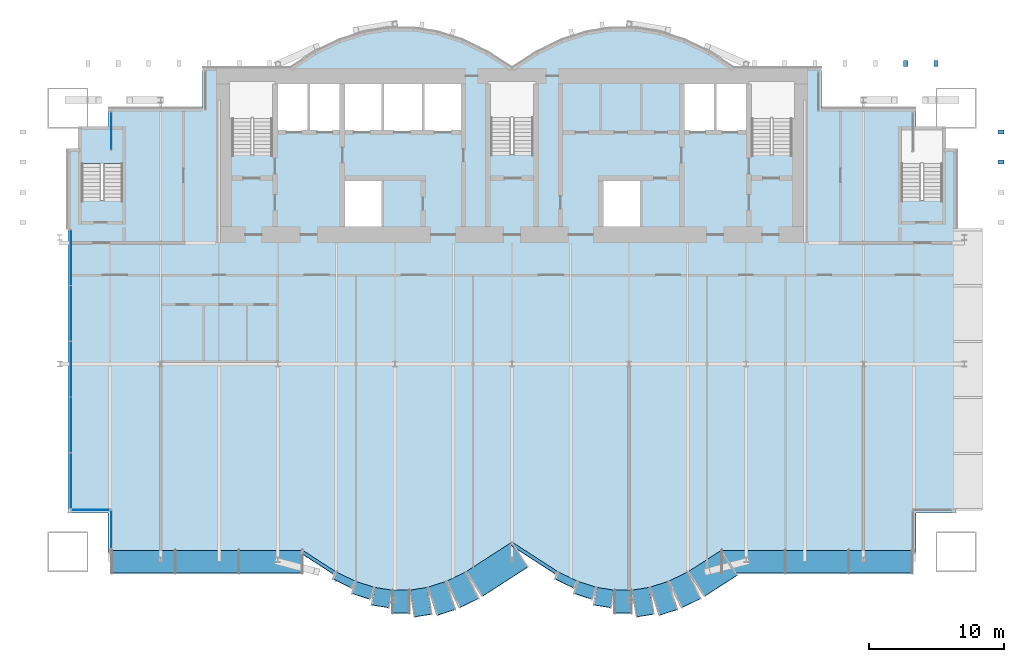
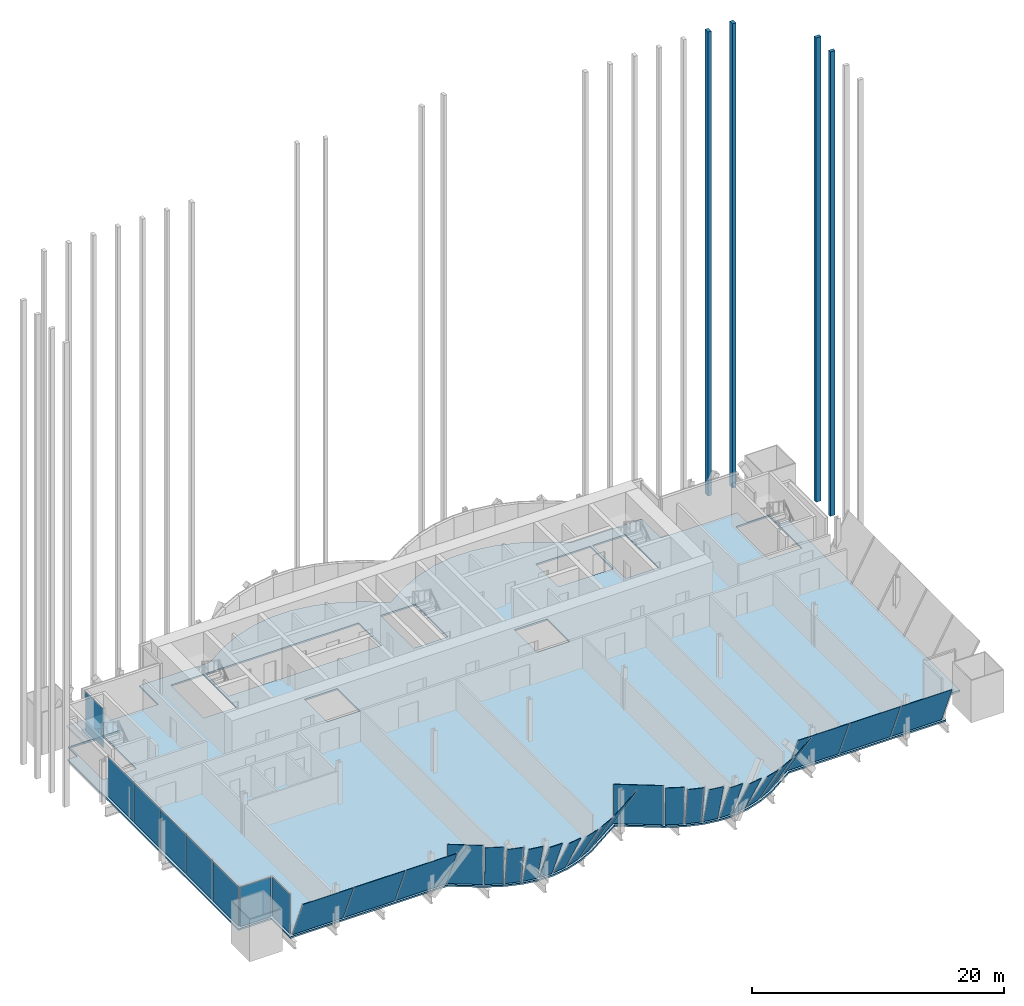
# One storey, part 16 of 22: 32 plates, 4 members, 2 slabs, 27 elements without a shape of their own.
"""IFC4 building model written with IfcOpenShell, lengths in metres."""

from ifc_helpers import new_model, si_unit, direction, frame, origin, origin_2d, place, context, subcontext, project, spatial, polyline, rectangle, outline, extrude, material, layer, layer_set, material_profile, profile_set, type_object, element, aggregate, save


model = new_model("IFC4")

# Units and contexts
model_context = context("Model", 3, precision=1e-05, world=origin(), true_north=direction((0.0, 1.0)))
body_context = subcontext(model_context, "Body", "Model", "MODEL_VIEW")
ifc_project = project(units=[si_unit("LENGTHUNIT", "METRE"), si_unit("AREAUNIT", "SQUARE_METRE"), si_unit("VOLUMEUNIT", "CUBIC_METRE"), si_unit("PLANEANGLEUNIT", "RADIAN"), si_unit("MASSUNIT", "GRAM", prefix="KILO")], contexts=[model_context])

# Site, building, storey
site_placement = place(None, origin())
site = spatial("IfcSite", under=ifc_project, at=site_placement, CompositionType="ELEMENT")
building_placement = place(site_placement, origin())
building = spatial("IfcBuilding", under=site, at=building_placement, Name="Bicima Exchange Tower", CompositionType="ELEMENT")
storey_placement = place(building_placement, frame((0.0, 0.0, 89.89990234375)))
storey = spatial("IfcBuildingStorey", under=building, at=storey_placement, Name="L18", CompositionType="ELEMENT", Elevation=89.89990234375)

# Curtain wall, members
ifc_material_1 = material(Name="Anodised bronze aluminium", Category="aluminium")
curtain_wall_type_1 = type_object("IfcCurtainWallType", Name="Rear blade screen", PredefinedType="NOTDEFINED", material=ifc_material_1)
curtain_wall_1_placement = place(storey_placement, origin())
curtain_wall_1 = element("IfcCurtainWall", 1, at=curtain_wall_1_placement, inside=storey, type_object=curtain_wall_type_1, Name="Rear blade screen L18-L28 E", PredefinedType="NOTDEFINED")
ifc_material_profile = material_profile(ifc_material_1, rectangle(XDim=0.449951171875, YDim=0.300048828125, at=origin_2d()))
ifc_profile_set = profile_set([ifc_material_profile], Name="Anodised bronze aluminium")
member_type = type_object("IfcMemberType", Name="Rear blade fin 450 x 300", PredefinedType="USERDEFINED", material=ifc_profile_set)
member_1_placement = place(storey_placement, frame((29.25, 0.324951171875, 0.0), z_axis=(0.0, 0.0, 1.0), x_axis=(0.0, 1.0, 0.0)))
member_1 = element("IfcMember", 2, at=member_1_placement, type_object=member_type, Name="Rear blade fin L18-L28 18", ObjectType="FIN", PredefinedType="USERDEFINED", context=body_context, shape_type="SweptSolid", body=[
    extrude(rectangle(XDim=0.449951171875, YDim=0.300048828125, at=origin_2d()), origin(), (0.0, 0.0, 1.0), 44.900146484375),
])
member_2_placement = place(storey_placement, frame((31.5, 0.324951171875, 0.0), z_axis=(0.0, 0.0, 1.0), x_axis=(0.0, 1.0, 0.0)))
member_2 = element("IfcMember", 3, at=member_2_placement, type_object=member_type, Name="Rear blade fin L18-L28 19", ObjectType="FIN", PredefinedType="USERDEFINED", context=body_context, shape_type="SweptSolid", body=[
    extrude(rectangle(XDim=0.449951171875, YDim=0.300048828125, at=origin_2d()), origin(), (0.0, 0.0, 1.0), 44.900146484375),
])
aggregate(curtain_wall_1, [member_1, member_2])

curtain_wall_2_placement = place(storey_placement, origin())
curtain_wall_2 = element("IfcCurtainWall", 4, at=curtain_wall_2_placement, inside=storey, type_object=curtain_wall_type_1, Name="End blade screen L18-L28", PredefinedType="NOTDEFINED")
member_3_placement = place(storey_placement, frame((36.324951171875, -7.0, 0.0), z_axis=(0.0, 0.0, 1.0), x_axis=(1.0, 0.0, 0.0)))
member_3 = element("IfcMember", 5, at=member_3_placement, type_object=member_type, Name="End blade fin L18-L28 3", ObjectType="FIN", PredefinedType="USERDEFINED", context=body_context, shape_type="SweptSolid", body=[
    extrude(rectangle(XDim=0.449951171875, YDim=0.300048828125, at=origin_2d()), origin(), (0.0, 0.0, 1.0), 44.900146484375),
])
member_4_placement = place(storey_placement, frame((36.324951171875, -4.75, 0.0), z_axis=(0.0, 0.0, 1.0), x_axis=(1.0, 0.0, 0.0)))
member_4 = element("IfcMember", 6, at=member_4_placement, type_object=member_type, Name="End blade fin L18-L28 4", ObjectType="FIN", PredefinedType="USERDEFINED", context=body_context, shape_type="SweptSolid", body=[
    extrude(rectangle(XDim=0.449951171875, YDim=0.300048828125, at=origin_2d()), origin(), (0.0, 0.0, 1.0), 44.900146484375),
])
aggregate(curtain_wall_2, [member_3, member_4])

# Slab
ifc_material_2 = material(Name="Concrete C40/50", Category="concrete")
ifc_layer_1 = layer(ifc_material_2, 0.14990234375)
ifc_layer_set_1 = layer_set([ifc_layer_1], Name="Concrete C40/50")
slab_type_1 = type_object("IfcSlabType", Name="Composite floor slab 150", PredefinedType="FLOOR", material=ifc_layer_set_1)
slab_1_placement = place(storey_placement, frame((0.0, 0.0, -0.14990234375)))
element("IfcSlab", 7, at=slab_1_placement, inside=storey, type_object=slab_type_1, Name="Floor slab", PredefinedType="FLOOR", context=body_context, shape_type="SweptSolid", body=[
    extrude(outline(polyline([(30.0, -36.072021484375), (15.61474609375, -36.072021484375), (13.1923828125, -37.637939453125), (11.712158203125, -38.355712890625), (10.295166015625, -38.813720703125), (8.92578125, -39.034912109375), (7.57421875, -39.034912109375), (6.204833984375, -38.813720703125), (4.787841796875, -38.355712890625), (3.3076171875, -37.637939453125), (0.0, -35.499755859375), (-3.3076171875, -37.637939453125), (-4.787841796875, -38.355712890625), (-6.204833984375, -38.813720703125), (-7.57421875, -39.034912109375), (-8.92578125, -39.034912109375), (-10.295166015625, -38.813720703125), (-11.712158203125, -38.355712890625), (-13.1923828125, -37.637939453125), (-15.61474609375, -36.072021484375), (-30.0, -36.072021484375), (-30.0, -33.072021484375), (-33.0, -33.072021484375), (-33.0, -6.0), (-32.10009765625, -6.0), (-32.10009765625, -4.5), (-30.0, -4.5), (-30.0, -3.0), (-23.0, -3.0), (-23.0, 0.0), (-16.5, 0.0), (-14.666748046875, 1.185302734375), (-12.833251953125, 2.07421875), (-11.0, 2.666748046875), (-9.166748046875, 2.962890625), (-7.333251953125, 2.962890625), (-5.5, 2.666748046875), (-3.666748046875, 2.07421875), (-1.833251953125, 1.185302734375), (0.0, 0.0), (1.833251953125, 1.185302734375), (3.666748046875, 2.07421875), (5.5, 2.666748046875), (7.333251953125, 2.962890625), (9.166748046875, 2.962890625), (11.0, 2.666748046875), (12.833251953125, 2.07421875), (14.666748046875, 1.185302734375), (16.5, 0.0), (23.0, 0.0), (23.0, -3.0), (30.0, -3.0), (30.0, -4.5), (32.10009765625, -4.5), (32.10009765625, -6.0), (33.0, -6.0), (33.0, -33.072021484375), (30.0, -33.072021484375), (30.0, -36.072021484375)]), holes=[polyline([(-9.60009765625, -11.800048828125), (-9.60009765625, -8.199951171875), (-12.60009765625, -8.199951171875), (-12.60009765625, -11.800048828125), (-9.60009765625, -11.800048828125)]), polyline([(-31.97509765625, -9.824951171875), (-28.925048828125, -9.824951171875), (-28.925048828125, -4.625), (-31.97509765625, -4.625), (-31.97509765625, -9.824951171875)]), polyline([(-20.800048828125, -6.449951171875), (-17.800048828125, -6.449951171875), (-17.800048828125, -1.199951171875), (-20.800048828125, -1.199951171875), (-20.800048828125, -6.449951171875)]), polyline([(-9.60009765625, -1.199951171875), (-12.60009765625, -1.199951171875), (-15.10009765625, -1.199951171875), (-17.60009765625, -1.199951171875), (-17.60009765625, -4.800048828125), (-15.10009765625, -4.800048828125), (-12.60009765625, -4.800048828125), (-9.60009765625, -4.800048828125), (-6.60009765625, -4.800048828125), (-3.60009765625, -4.800048828125), (-3.60009765625, -1.199951171875), (-6.60009765625, -1.199951171875), (-9.60009765625, -1.199951171875)]), polyline([(9.60009765625, -11.800048828125), (9.60009765625, -8.199951171875), (6.60009765625, -8.199951171875), (6.60009765625, -11.800048828125), (9.60009765625, -11.800048828125)]), polyline([(28.925048828125, -9.824951171875), (31.97509765625, -9.824951171875), (31.97509765625, -4.625), (28.925048828125, -4.625), (28.925048828125, -9.824951171875)]), polyline([(17.800048828125, -6.449951171875), (20.800048828125, -6.449951171875), (20.800048828125, -1.199951171875), (17.800048828125, -1.199951171875), (17.800048828125, -6.449951171875)]), polyline([(-1.574951171875, -6.39990234375), (1.574951171875, -6.39990234375), (1.574951171875, -1.199951171875), (-1.574951171875, -1.199951171875), (-1.574951171875, -6.39990234375)]), polyline([(17.60009765625, -4.800048828125), (17.60009765625, -1.199951171875), (15.10009765625, -1.199951171875), (12.60009765625, -1.199951171875), (12.60009765625, -4.800048828125), (15.10009765625, -4.800048828125), (17.60009765625, -4.800048828125)])]), origin(), (0.0, 0.0, 1.0), 0.14990234375),
])

# Curtain wall, plates
curtain_wall_type_2 = type_object("IfcCurtainWallType", Name="End face glass wall", PredefinedType="NOTDEFINED", material=ifc_material_1)
curtain_wall_3_placement = place(storey_placement, origin())
curtain_wall_3 = element("IfcCurtainWall", 8, at=curtain_wall_3_placement, inside=storey, type_object=curtain_wall_type_2, Name="End face glass wall L18 run 6", PredefinedType="NOTDEFINED")
ifc_material_3 = material(Name="Bronze tinted glass", Category="glass")
ifc_layer_2 = layer(ifc_material_3, 0.031982421875)
ifc_layer_set_2 = layer_set([ifc_layer_2], Name="Bronze tinted glass")
plate_type_1 = type_object("IfcPlateType", Name="End face glass wall glass panel 32", PredefinedType="CURTAIN_PANEL", material=ifc_layer_set_2)
plate_1_placement = place(storey_placement, frame((-32.77001953125, -22.381103515625, 0.0), z_axis=(0.0, 0.0, 1.0), x_axis=(0.0, -1.0, 0.0)))
plate_1 = element("IfcPlate", 9, at=plate_1_placement, type_object=plate_type_1, Name="End face glass wall panel 3.1", PredefinedType="CURTAIN_PANEL", context=body_context, shape_type="SweptSolid", body=[
    extrude(rectangle(XDim=4.080322265625, YDim=0.031982421875, at=origin_2d()), origin(), (0.0, 0.0, 1.0), 3.81005859375),
])
ifc_material_4 = material(Name="Bronze anodised aluminium", Category="aluminium")
ifc_layer_3 = layer(ifc_material_4, 0.031982421875)
ifc_layer_set_3 = layer_set([ifc_layer_3], Name="Bronze anodised aluminium")
plate_type_2 = type_object("IfcPlateType", Name="End face glass wall spandrel panel 32", PredefinedType="CURTAIN_PANEL", material=ifc_layer_set_3)
plate_2_placement = place(storey_placement, frame((-32.77001953125, -14.10009765625, 0.0), z_axis=(0.0, 0.0, 1.0), x_axis=(0.0, -1.0, 0.0)))
plate_2 = element("IfcPlate", 10, at=plate_2_placement, type_object=plate_type_2, Name="End face spandrel wall panel 1.1", PredefinedType="CURTAIN_PANEL", context=body_context, shape_type="SweptSolid", body=[
    extrude(rectangle(XDim=4.080322265625, YDim=0.031982421875, at=origin_2d()), origin(), (0.0, 0.0, 1.0), 3.81005859375),
])
plate_3_placement = place(storey_placement, frame((-32.77001953125, -18.240478515625, 0.0), z_axis=(0.0, 0.0, 1.0), x_axis=(0.0, -1.0, 0.0)))
plate_3 = element("IfcPlate", 11, at=plate_3_placement, type_object=plate_type_2, Name="End face spandrel wall panel 2.1", PredefinedType="CURTAIN_PANEL", context=body_context, shape_type="SweptSolid", body=[
    extrude(rectangle(XDim=4.080322265625, YDim=0.031982421875, at=origin_2d()), origin(), (0.0, 0.0, 1.0), 3.81005859375),
])
plate_4_placement = place(storey_placement, frame((-32.77001953125, -26.521484375, 0.0), z_axis=(0.0, 0.0, 1.0), x_axis=(0.0, -1.0, 0.0)))
plate_4 = element("IfcPlate", 12, at=plate_4_placement, type_object=plate_type_2, Name="End face spandrel wall panel 4.1", PredefinedType="CURTAIN_PANEL", context=body_context, shape_type="SweptSolid", body=[
    extrude(rectangle(XDim=4.080322265625, YDim=0.031982421875, at=origin_2d()), origin(), (0.0, 0.0, 1.0), 3.81005859375),
])
plate_5_placement = place(storey_placement, frame((-32.77001953125, -30.661865234375, 0.0), z_axis=(0.0, 0.0, 1.0), x_axis=(0.0, -1.0, 0.0)))
plate_5 = element("IfcPlate", 13, at=plate_5_placement, type_object=plate_type_2, Name="End face spandrel wall panel 5.1", PredefinedType="CURTAIN_PANEL", context=body_context, shape_type="SweptSolid", body=[
    extrude(rectangle(XDim=4.080322265625, YDim=0.031982421875, at=origin_2d()), origin(), (0.0, 0.0, 1.0), 3.81005859375),
])
aggregate(curtain_wall_3, [plate_2, plate_3, plate_1, plate_4, plate_5])

# Curtain wall, plate
curtain_wall_type_3 = type_object("IfcCurtainWallType", Name="Front glass wall", PredefinedType="NOTDEFINED", material=ifc_material_1)
curtain_wall_4_placement = place(storey_placement, origin())
curtain_wall_4 = element("IfcCurtainWall", 14, at=curtain_wall_4_placement, inside=storey, type_object=curtain_wall_type_3, Name="Front glass wall L18 run 5", PredefinedType="NOTDEFINED")
ifc_layer_4 = layer(ifc_material_3, 0.031982421875)
ifc_layer_set_4 = layer_set([ifc_layer_4], Name="Bronze tinted glass")
plate_type_3 = type_object("IfcPlateType", Name="Front glass wall glass panel 32", PredefinedType="CURTAIN_PANEL", material=ifc_layer_set_4)
plate_6_placement = place(storey_placement, frame((-29.77001953125, -4.68994140625, 0.0), z_axis=(0.0, 0.0, 1.0), x_axis=(0.0, -1.0, 0.0)))
plate_6 = element("IfcPlate", 15, at=plate_6_placement, type_object=plate_type_3, Name="Front glass wall panel 1.1", PredefinedType="CURTAIN_PANEL", context=body_context, shape_type="SweptSolid", body=[
    extrude(rectangle(XDim=2.800048828125, YDim=0.031982421875, at=origin_2d()), origin(), (0.0, 0.0, 1.0), 3.81005859375),
])
aggregate(curtain_wall_4, [plate_6])

curtain_wall_5_placement = place(storey_placement, origin())
curtain_wall_5 = element("IfcCurtainWall", 16, at=curtain_wall_5_placement, inside=storey, type_object=curtain_wall_type_3, Name="Front glass wall L18 run 7", PredefinedType="NOTDEFINED")
plate_7_placement = place(storey_placement, frame((-31.31005859375, -32.842041015625, 0.0), z_axis=(0.0, 0.0, 1.0), x_axis=(1.0, 0.0, 0.0)))
plate_7 = element("IfcPlate", 17, at=plate_7_placement, type_object=plate_type_3, Name="Front glass wall panel 1.1", PredefinedType="CURTAIN_PANEL", context=body_context, shape_type="SweptSolid", body=[
    extrude(rectangle(XDim=2.800048828125, YDim=0.031982421875, at=origin_2d()), origin(), (0.0, 0.0, 1.0), 3.81005859375),
])
aggregate(curtain_wall_5, [plate_7])

curtain_wall_6_placement = place(storey_placement, origin())
curtain_wall_6 = element("IfcCurtainWall", 18, at=curtain_wall_6_placement, inside=storey, type_object=curtain_wall_type_3, Name="Front glass wall L18 run 8", PredefinedType="NOTDEFINED")
plate_8_placement = place(storey_placement, frame((-29.77001953125, -34.302001953125, 0.0), z_axis=(0.0, 0.0, 1.0), x_axis=(0.0, -1.0, 0.0)))
plate_8 = element("IfcPlate", 19, at=plate_8_placement, type_object=plate_type_3, Name="Front glass wall panel 1.1", PredefinedType="CURTAIN_PANEL", context=body_context, shape_type="SweptSolid", body=[
    extrude(rectangle(XDim=2.800048828125, YDim=0.031982421875, at=origin_2d()), origin(), (0.0, 0.0, 1.0), 3.81005859375),
])
aggregate(curtain_wall_6, [plate_8])

curtain_wall_7_placement = place(storey_placement, origin())
curtain_wall_7 = element("IfcCurtainWall", 20, at=curtain_wall_7_placement, inside=storey, type_object=curtain_wall_type_3, Name="Canted glass wall L18 37.1", PredefinedType="NOTDEFINED")
plate_9_placement = place(storey_placement, frame((-13.025390625, -37.46337890625, 0.0), z_axis=(0.431712251382, 0.890578249762, 0.143160445158), x_axis=(0.89984713121, -0.436205387924, 0.0)))
plate_9 = element("IfcPlate", 21, at=plate_9_placement, type_object=plate_type_3, Name="Canted glass panel 1", PredefinedType="CURTAIN_PANEL", context=body_context, shape_type="SweptSolid", body=[
    extrude(outline(polyline([(0.0, 0.0), (1.494937081081463, 0.0), (1.4949137964141754, -3.9913078054860818), (-2.3284667287539446e-05, -3.9913078054860818), (0.0, 0.0)])), origin(), (0.0, 0.0, -1.0), 0.031982421875),
])
aggregate(curtain_wall_7, [plate_9])

curtain_wall_8_placement = place(storey_placement, origin())
curtain_wall_8 = element("IfcCurtainWall", 22, at=curtain_wall_8_placement, inside=storey, type_object=curtain_wall_type_3, Name="Canted glass wall L18 40.1", PredefinedType="NOTDEFINED")
plate_10_placement = place(storey_placement, frame((-8.847412109375, -38.804931640625, 0.0), z_axis=(0.0, 0.91972618109, 0.392560507207), x_axis=(1.0, 0.0, 0.0)))
plate_10 = element("IfcPlate", 23, at=plate_10_placement, type_object=plate_type_3, Name="Canted glass panel 1", PredefinedType="CURTAIN_PANEL", context=body_context, shape_type="SweptSolid", body=[
    extrude(outline(polyline([(0.0, 0.0), (1.19482421875, 0.0), (1.19482421875, -4.294968865429404), (0.0, -4.294968865429404), (0.0, 0.0)])), origin(), (0.0, 0.0, -1.0), 0.031982421875),
])
aggregate(curtain_wall_8, [plate_10])

curtain_wall_9_placement = place(storey_placement, origin())
curtain_wall_9 = element("IfcCurtainWall", 24, at=curtain_wall_9_placement, inside=storey, type_object=curtain_wall_type_3, Name="Canted glass wall L18 41.1", PredefinedType="NOTDEFINED")
plate_11_placement = place(storey_placement, frame((-7.533447265625, -38.79541015625, 0.0), z_axis=(-0.14210364173, 0.879840707131, 0.453527160247), x_axis=(0.98720690589, 0.159444425941, 0.0)))
plate_11 = element("IfcPlate", 25, at=plate_11_placement, type_object=plate_type_3, Name="Canted glass panel 1", PredefinedType="CURTAIN_PANEL", context=body_context, shape_type="SweptSolid", body=[
    extrude(outline(polyline([(0.0, 0.0), (1.2310813710877848, -1.3877787807814457e-17), (1.2313805850255168, -4.43223422206494), (0.00029921393773213456, -4.43223422206494), (0.0, 0.0)])), origin(), (0.0, 0.0, -1.0), 0.031982421875),
])
aggregate(curtain_wall_9, [plate_11])

curtain_wall_10_placement = place(storey_placement, origin())
curtain_wall_10 = element("IfcCurtainWall", 26, at=curtain_wall_10_placement, inside=storey, type_object=curtain_wall_type_3, Name="Canted glass wall L18 42.1", PredefinedType="NOTDEFINED")
plate_12_placement = place(storey_placement, frame((-6.20166015625, -38.57080078125, 0.0), z_axis=(-0.268992577696, 0.8322382545, 0.484791172457), x_axis=(0.951536123408, 0.307536998143, 2.495936e-05)))
plate_12 = element("IfcPlate", 27, at=plate_12_placement, type_object=plate_type_3, Name="Canted glass panel 1", PredefinedType="CURTAIN_PANEL", context=body_context, shape_type="SweptSolid", body=[
    extrude(outline(polyline([(0.0, 0.0), (1.3354547737341032, 0.0), (1.33581580932168, -4.516380957805549), (5.364468876061158e-05, -4.516457186462047), (0.0, 0.0)])), origin(), (0.0, 0.0, -1.0), 0.031982421875),
])
aggregate(curtain_wall_10, [plate_12])

curtain_wall_11_placement = place(storey_placement, origin())
curtain_wall_11 = element("IfcCurtainWall", 28, at=curtain_wall_11_placement, inside=storey, type_object=curtain_wall_type_3, Name="Canted glass wall L18 45.1", PredefinedType="NOTDEFINED")
plate_13_placement = place(storey_placement, frame((0.05029296875, -35.25830078125, 0.0), z_axis=(0.541902911435, 0.838268106443, 0.060397154729), x_axis=(0.839801174799, -0.542894084333, 1.563377e-06)))
plate_13 = element("IfcPlate", 29, at=plate_13_placement, type_object=plate_type_3, Name="Canted glass panel 1", PredefinedType="CURTAIN_PANEL", context=body_context, shape_type="SweptSolid", body=[
    extrude(outline(polyline([(0.0, 0.0), (3.953173405832099, -1.3877787807814457e-17), (3.9532588084047404, -3.9574136856257973), (0.00021794507369933414, -3.957426068622452), (0.0, 0.0)])), origin(), (0.0, 0.0, -1.0), 0.031982421875),
])
aggregate(curtain_wall_11, [plate_13])

curtain_wall_12_placement = place(storey_placement, origin())
curtain_wall_12 = element("IfcCurtainWall", 30, at=curtain_wall_12_placement, inside=storey, type_object=curtain_wall_type_3, Name="Canted glass wall L18 46.1", PredefinedType="NOTDEFINED")
plate_14_placement = place(storey_placement, frame((3.474609375, -37.46337890625, 0.0), z_axis=(0.431712251382, 0.890578249762, 0.143160445158), x_axis=(0.89984713121, -0.436205387924, 0.0)))
plate_14 = element("IfcPlate", 31, at=plate_14_placement, type_object=plate_type_3, Name="Canted glass panel 1", PredefinedType="CURTAIN_PANEL", context=body_context, shape_type="SweptSolid", body=[
    extrude(outline(polyline([(0.0, 0.0), (1.494937081081463, 0.0), (1.4949137964141754, -3.9913078054860818), (-2.3284667287539446e-05, -3.9913078054860818), (0.0, 0.0)])), origin(), (0.0, 0.0, -1.0), 0.031982421875),
])
aggregate(curtain_wall_12, [plate_14])

curtain_wall_13_placement = place(storey_placement, origin())
curtain_wall_13 = element("IfcCurtainWall", 32, at=curtain_wall_13_placement, inside=storey, type_object=curtain_wall_type_3, Name="Canted glass wall L18 47.1", PredefinedType="NOTDEFINED")
plate_15_placement = place(storey_placement, frame((4.930908203125, -38.16015625, 0.0), z_axis=(0.299183251617, 0.925831643678, 0.230922388514), x_axis=(0.951549971166, -0.307494150144, 0.0)))
plate_15 = element("IfcPlate", 33, at=plate_15_placement, type_object=plate_type_3, Name="Canted glass panel 1", PredefinedType="CURTAIN_PANEL", context=body_context, shape_type="SweptSolid", body=[
    extrude(outline(polyline([(0.0, 0.0), (1.3354547755040358, -1.3877787807814457e-17), (1.3354067063341915, -4.0599262958654565), (-4.806916984428922e-05, -4.0599262958654565), (0.0, 0.0)])), origin(), (0.0, 0.0, -1.0), 0.031982421875),
])
aggregate(curtain_wall_13, [plate_15])

curtain_wall_14_placement = place(storey_placement, origin())
curtain_wall_14 = element("IfcCurtainWall", 34, at=curtain_wall_14_placement, inside=storey, type_object=curtain_wall_type_3, Name="Canted glass wall L18 48.1", PredefinedType="NOTDEFINED")
plate_16_placement = place(storey_placement, frame((6.318115234375, -38.59912109375, 0.0), z_axis=(0.151242881518, 0.936426696761, 0.316592217818), x_axis=(0.98720690589, -0.159444425941, 0.0)))
plate_16 = element("IfcPlate", 35, at=plate_16_placement, type_object=plate_type_3, Name="Canted glass panel 1", PredefinedType="CURTAIN_PANEL", context=body_context, shape_type="SweptSolid", body=[
    extrude(outline(polyline([(0.0, 0.0), (1.2310813710877848, 6.938893903907228e-18), (1.230843549265432, -4.16440507901042), (-0.0002378218223528239, -4.16440507901042), (0.0, 0.0)])), origin(), (0.0, 0.0, -1.0), 0.031982421875),
])
aggregate(curtain_wall_14, [plate_16])

curtain_wall_15_placement = place(storey_placement, origin())
curtain_wall_15 = element("IfcCurtainWall", 36, at=curtain_wall_15_placement, inside=storey, type_object=curtain_wall_type_3, Name="Canted glass wall L18 49.1", PredefinedType="NOTDEFINED")
plate_17_placement = place(storey_placement, frame((7.652587890625, -38.804931640625, 0.0), z_axis=(0.0, 0.91972618109, 0.392560507207), x_axis=(1.0, 0.0, 0.0)))
plate_17 = element("IfcPlate", 37, at=plate_17_placement, type_object=plate_type_3, Name="Canted glass panel 1", PredefinedType="CURTAIN_PANEL", context=body_context, shape_type="SweptSolid", body=[
    extrude(outline(polyline([(0.0, 0.0), (1.19482421875, 0.0), (1.19482421875, -4.294968865429404), (0.0, -4.294968865429404), (0.0, 0.0)])), origin(), (0.0, 0.0, -1.0), 0.031982421875),
])
aggregate(curtain_wall_15, [plate_17])

curtain_wall_16_placement = place(storey_placement, origin())
curtain_wall_16 = element("IfcCurtainWall", 38, at=curtain_wall_16_placement, inside=storey, type_object=curtain_wall_type_3, Name="Canted glass wall L18 52.1", PredefinedType="NOTDEFINED")
plate_18_placement = place(storey_placement, frame((11.68017578125, -38.115478515625, 0.0), z_axis=(-0.381514652697, 0.787025734317, 0.48480621211), x_axis=(0.89984713121, 0.436205387924, 0.0)))
plate_18 = element("IfcPlate", 39, at=plate_18_placement, type_object=plate_type_3, Name="Canted glass panel 1", PredefinedType="CURTAIN_PANEL", context=body_context, shape_type="SweptSolid", body=[
    extrude(outline(polyline([(0.0, 0.0), (1.494937081081463, -5.551115123125783e-17), (1.4951627509733252, -4.516462124019396), (0.00022566989186234565, -4.516462124019395), (0.0, 0.0)])), origin(), (0.0, 0.0, -1.0), 0.031982421875),
])
aggregate(curtain_wall_16, [plate_18])

curtain_wall_17_placement = place(storey_placement, origin())
curtain_wall_17 = element("IfcCurtainWall", 40, at=curtain_wall_17_placement, inside=storey, type_object=curtain_wall_type_3, Name="Canted glass wall L18 53.1", PredefinedType="NOTDEFINED")
plate_19_placement = place(storey_placement, frame((13.1298828125, -37.404541015625, 0.0), z_axis=(-0.474839616101, 0.734497405216, 0.48481016977), x_axis=(0.839790888572, 0.542909995738, 0.0)))
plate_19 = element("IfcPlate", 41, at=plate_19_placement, type_object=plate_type_3, Name="Canted glass panel 1", PredefinedType="CURTAIN_PANEL", context=body_context, shape_type="SweptSolid", body=[
    extrude(outline(polyline([(0.0, 0.0), (2.8182006389410366, 1.1102230246251565e-16), (2.818138077554594, -4.5164734524056716), (-6.256138644245484e-05, -4.5164734524056716), (0.0, 0.0)])), origin(), (0.0, 0.0, -1.0), 0.031982421875),
])
aggregate(curtain_wall_17, [plate_19])

# Curtain wall, plates
curtain_wall_18_placement = place(storey_placement, origin())
curtain_wall_18 = element("IfcCurtainWall", 42, at=curtain_wall_18_placement, inside=storey, type_object=curtain_wall_type_3, Name="Canted glass wall L18 35.1", PredefinedType="NOTDEFINED")
ifc_layer_5 = layer(ifc_material_4, 0.031982421875)
ifc_layer_set_5 = layer_set([ifc_layer_5], Name="Bronze anodised aluminium")
plate_type_4 = type_object("IfcPlateType", Name="Front glass wall spandrel panel 32", PredefinedType="CURTAIN_PANEL", material=ifc_layer_set_5)
plate_20_placement = place(storey_placement, frame((-29.7099609375, -35.842041015625, 0.0), z_axis=(0.0, 0.91972618109, 0.392560507207), x_axis=(1.0, 0.0, 0.0)))
plate_20 = element("IfcPlate", 43, at=plate_20_placement, type_object=plate_type_4, Name="Canted glass panel 1", PredefinedType="CURTAIN_PANEL", context=body_context, shape_type="SweptSolid", body=[
    extrude(outline(polyline([(0.0, 0.0), (4.660888671875, 0.0), (4.660888671875, -4.294968865429403), (0.0, -4.294968865429403), (0.0, 0.0)])), origin(), (0.0, 0.0, -1.0), 0.031982421875),
])
plate_21_placement = place(storey_placement, frame((-24.989013671875, -35.842041015625, 0.0), z_axis=(0.0, 0.91972618109, 0.392560507207), x_axis=(1.0, 0.0, 0.0)))
plate_21 = element("IfcPlate", 44, at=plate_21_placement, type_object=plate_type_4, Name="Canted glass panel 2", PredefinedType="CURTAIN_PANEL", context=body_context, shape_type="SweptSolid", body=[
    extrude(outline(polyline([(0.0, 0.0), (4.6611328125, 0.0), (4.6611328125, -4.294968865429403), (0.0, -4.294968865429403), (0.0, 0.0)])), origin(), (0.0, 0.0, -1.0), 0.031982421875),
])
plate_22_placement = place(storey_placement, frame((-20.267822265625, -35.842041015625, 0.0), z_axis=(0.0, 0.91972618109, 0.392560507207), x_axis=(1.0, 0.0, 0.0)))
plate_22 = element("IfcPlate", 45, at=plate_22_placement, type_object=plate_type_4, Name="Canted glass panel 3", PredefinedType="CURTAIN_PANEL", context=body_context, shape_type="SweptSolid", body=[
    extrude(outline(polyline([(0.0, 0.0), (4.660888671875, 0.0), (4.660888671875, -4.294968865429403), (0.0, -4.294968865429403), (0.0, 0.0)])), origin(), (0.0, 0.0, -1.0), 0.031982421875),
])
aggregate(curtain_wall_18, [plate_20, plate_21, plate_22])

# Curtain wall, plate
curtain_wall_19_placement = place(storey_placement, origin())
curtain_wall_19 = element("IfcCurtainWall", 46, at=curtain_wall_19_placement, inside=storey, type_object=curtain_wall_type_3, Name="Canted glass wall L18 36.1", PredefinedType="NOTDEFINED")
plate_23_placement = place(storey_placement, frame((-15.49658203125, -35.87451171875, 0.0), z_axis=(0.541919720783, 0.838259098974, 0.06037134432), x_axis=(0.839790888572, -0.542909995738, 0.0)))
plate_23 = element("IfcPlate", 47, at=plate_23_placement, type_object=plate_type_4, Name="Canted glass panel 1", PredefinedType="CURTAIN_PANEL", context=body_context, shape_type="SweptSolid", body=[
    extrude(outline(polyline([(0.0, 0.0), (2.8182006389410366, -1.3877787807814457e-17), (2.818284392521264, -3.957413686983993), (8.375358022742752e-05, -3.957413686983993), (0.0, 0.0)])), origin(), (0.0, 0.0, -1.0), 0.031982421875),
])
aggregate(curtain_wall_19, [plate_23])

curtain_wall_20_placement = place(storey_placement, origin())
curtain_wall_20 = element("IfcCurtainWall", 48, at=curtain_wall_20_placement, inside=storey, type_object=curtain_wall_type_3, Name="Canted glass wall L18 38.1", PredefinedType="NOTDEFINED")
plate_24_placement = place(storey_placement, frame((-11.569091796875, -38.16015625, 0.0), z_axis=(0.299183251617, 0.925831643678, 0.230922388514), x_axis=(0.951549971166, -0.307494150144, 0.0)))
plate_24 = element("IfcPlate", 49, at=plate_24_placement, type_object=plate_type_4, Name="Canted glass panel 1", PredefinedType="CURTAIN_PANEL", context=body_context, shape_type="SweptSolid", body=[
    extrude(outline(polyline([(0.0, 0.0), (1.3354547755040358, -1.3877787807814457e-17), (1.3354067063341915, -4.0599262958654565), (-4.806916984428922e-05, -4.0599262958654565), (0.0, 0.0)])), origin(), (0.0, 0.0, -1.0), 0.031982421875),
])
aggregate(curtain_wall_20, [plate_24])

curtain_wall_21_placement = place(storey_placement, origin())
curtain_wall_21 = element("IfcCurtainWall", 50, at=curtain_wall_21_placement, inside=storey, type_object=curtain_wall_type_3, Name="Canted glass wall L18 39.1", PredefinedType="NOTDEFINED")
plate_25_placement = place(storey_placement, frame((-10.181884765625, -38.59912109375, 0.0), z_axis=(0.151242881518, 0.936426696761, 0.316592217818), x_axis=(0.98720690589, -0.159444425941, 0.0)))
plate_25 = element("IfcPlate", 51, at=plate_25_placement, type_object=plate_type_4, Name="Canted glass panel 1", PredefinedType="CURTAIN_PANEL", context=body_context, shape_type="SweptSolid", body=[
    extrude(outline(polyline([(0.0, 0.0), (1.2310813710877848, 6.938893903907228e-18), (1.230843549265432, -4.16440507901042), (-0.0002378218223528239, -4.16440507901042), (0.0, 0.0)])), origin(), (0.0, 0.0, -1.0), 0.031982421875),
])
aggregate(curtain_wall_21, [plate_25])

curtain_wall_22_placement = place(storey_placement, origin())
curtain_wall_22 = element("IfcCurtainWall", 52, at=curtain_wall_22_placement, inside=storey, type_object=curtain_wall_type_3, Name="Canted glass wall L18 43.1", PredefinedType="NOTDEFINED")
plate_26_placement = place(storey_placement, frame((-4.81982421875, -38.115478515625, 0.0), z_axis=(-0.381514652697, 0.787025734317, 0.48480621211), x_axis=(0.89984713121, 0.436205387924, 0.0)))
plate_26 = element("IfcPlate", 53, at=plate_26_placement, type_object=plate_type_4, Name="Canted glass panel 1", PredefinedType="CURTAIN_PANEL", context=body_context, shape_type="SweptSolid", body=[
    extrude(outline(polyline([(0.0, 0.0), (1.494937081081463, -5.551115123125783e-17), (1.4951627509733252, -4.516462124019396), (0.00022566989186234565, -4.516462124019395), (0.0, 0.0)])), origin(), (0.0, 0.0, -1.0), 0.031982421875),
])
aggregate(curtain_wall_22, [plate_26])

curtain_wall_23_placement = place(storey_placement, origin())
curtain_wall_23 = element("IfcCurtainWall", 54, at=curtain_wall_23_placement, inside=storey, type_object=curtain_wall_type_3, Name="Canted glass wall L18 44.1", PredefinedType="NOTDEFINED")
plate_27_placement = place(storey_placement, frame((-3.3701171875, -37.404541015625, 0.0), z_axis=(-0.474860369634, 0.734491397578, 0.484798944136), x_axis=(0.83978018449, 0.542926552756, 7.108726e-06)))
plate_27 = element("IfcPlate", 55, at=plate_27_placement, type_object=plate_type_4, Name="Canted glass panel 1", PredefinedType="CURTAIN_PANEL", context=body_context, shape_type="SweptSolid", body=[
    extrude(outline(polyline([(0.0, 0.0), (3.9531734067314837, -1.1102230246251565e-16), (3.952890731420998, -4.516409192766696), (-7.765085138151768e-05, -4.516473451799465), (0.0, 0.0)])), origin(), (0.0, 0.0, -1.0), 0.031982421875),
])
aggregate(curtain_wall_23, [plate_27])

curtain_wall_24_placement = place(storey_placement, origin())
curtain_wall_24 = element("IfcCurtainWall", 56, at=curtain_wall_24_placement, inside=storey, type_object=curtain_wall_type_3, Name="Canted glass wall L18 50.1", PredefinedType="NOTDEFINED")
plate_28_placement = place(storey_placement, frame((8.966552734375, -38.79541015625, 0.0), z_axis=(-0.14210364173, 0.879840707131, 0.453527160247), x_axis=(0.98720690589, 0.159444425941, 0.0)))
plate_28 = element("IfcPlate", 57, at=plate_28_placement, type_object=plate_type_4, Name="Canted glass panel 1", PredefinedType="CURTAIN_PANEL", context=body_context, shape_type="SweptSolid", body=[
    extrude(outline(polyline([(0.0, 0.0), (1.2310813710877848, -1.3877787807814457e-17), (1.2313805850255168, -4.43223422206494), (0.00029921393773213456, -4.43223422206494), (0.0, 0.0)])), origin(), (0.0, 0.0, -1.0), 0.031982421875),
])
aggregate(curtain_wall_24, [plate_28])

curtain_wall_25_placement = place(storey_placement, origin())
curtain_wall_25 = element("IfcCurtainWall", 58, at=curtain_wall_25_placement, inside=storey, type_object=curtain_wall_type_3, Name="Canted glass wall L18 51.1", PredefinedType="NOTDEFINED")
plate_29_placement = place(storey_placement, frame((10.29833984375, -38.57080078125, 0.0), z_axis=(-0.268992577696, 0.8322382545, 0.484791172457), x_axis=(0.951536123408, 0.307536998143, 2.495936e-05)))
plate_29 = element("IfcPlate", 59, at=plate_29_placement, type_object=plate_type_4, Name="Canted glass panel 1", PredefinedType="CURTAIN_PANEL", context=body_context, shape_type="SweptSolid", body=[
    extrude(outline(polyline([(0.0, 0.0), (1.3354547737341032, 0.0), (1.33581580932168, -4.516380957805549), (5.364468876061158e-05, -4.516457186462047), (0.0, 0.0)])), origin(), (0.0, 0.0, -1.0), 0.031982421875),
])
aggregate(curtain_wall_25, [plate_29])

# Curtain wall, plates
curtain_wall_26_placement = place(storey_placement, origin())
curtain_wall_26 = element("IfcCurtainWall", 60, at=curtain_wall_26_placement, inside=storey, type_object=curtain_wall_type_3, Name="Canted glass wall L18 54.1", PredefinedType="NOTDEFINED")
plate_30_placement = place(storey_placement, frame((15.60693359375, -35.842041015625, 0.0), z_axis=(0.0, 0.91972618109, 0.392560507207), x_axis=(1.0, 0.0, 0.0)))
plate_30 = element("IfcPlate", 61, at=plate_30_placement, type_object=plate_type_4, Name="Canted glass panel 1", PredefinedType="CURTAIN_PANEL", context=body_context, shape_type="SweptSolid", body=[
    extrude(outline(polyline([(0.0, 0.0), (4.660888671875, 0.0), (4.660888671875, -4.294968865429403), (0.0, -4.294968865429403), (0.0, 0.0)])), origin(), (0.0, 0.0, -1.0), 0.031982421875),
])
plate_31_placement = place(storey_placement, frame((20.327880859375, -35.842041015625, 0.0), z_axis=(0.0, 0.91972618109, 0.392560507207), x_axis=(1.0, 0.0, 0.0)))
plate_31 = element("IfcPlate", 62, at=plate_31_placement, type_object=plate_type_4, Name="Canted glass panel 2", PredefinedType="CURTAIN_PANEL", context=body_context, shape_type="SweptSolid", body=[
    extrude(outline(polyline([(0.0, 0.0), (4.6611328125, 0.0), (4.6611328125, -4.294968865429403), (0.0, -4.294968865429403), (0.0, 0.0)])), origin(), (0.0, 0.0, -1.0), 0.031982421875),
])
plate_32_placement = place(storey_placement, frame((25.049072265625, -35.842041015625, 0.0), z_axis=(0.0, 0.91972618109, 0.392560507207), x_axis=(1.0, 0.0, 0.0)))
plate_32 = element("IfcPlate", 63, at=plate_32_placement, type_object=plate_type_4, Name="Canted glass panel 3", PredefinedType="CURTAIN_PANEL", context=body_context, shape_type="SweptSolid", body=[
    extrude(outline(polyline([(0.0, 0.0), (4.660888671875, 0.0), (4.660888671875, -4.294968865429403), (0.0, -4.294968865429403), (0.0, 0.0)])), origin(), (0.0, 0.0, -1.0), 0.031982421875),
])
aggregate(curtain_wall_26, [plate_30, plate_31, plate_32])

# Stair, slab
ifc_material_5 = material(Name="Concrete C50/60", Category="concrete")
stair_type = type_object("IfcStairType", Name="Exit stair", PredefinedType="HALF_TURN_STAIR", material=ifc_material_5)
stair_placement = place(storey_placement, origin())
stair = element("IfcStair", 64, at=stair_placement, inside=storey, type_object=stair_type, Name="L18 West end exit stair", PredefinedType="HALF_TURN_STAIR")
ifc_layer_6 = layer(ifc_material_5, 0.199951171875)
ifc_layer_set_6 = layer_set([ifc_layer_6], Name="Concrete C50/60")
slab_type_2 = type_object("IfcSlabType", Name="Stair landing slab", PredefinedType="LANDING", material=ifc_layer_set_6)
slab_2_placement = place(storey_placement, frame((0.0, 0.0, 1.85009765625)))
slab_2 = element("IfcSlab", 65, at=slab_2_placement, type_object=slab_type_2, Name="ST-WW landing 1", PredefinedType="LANDING", context=body_context, shape_type="SweptSolid", body=[
    extrude(outline(polyline([(-28.72509765625, -7.125), (-28.72509765625, -4.425048828125), (-32.175048828125, -4.425048828125), (-32.175048828125, -7.125), (-28.72509765625, -7.125)])), origin(), (0.0, 0.0, 1.0), 0.199951171875),
])
aggregate(stair, [slab_2])

save(model, "model.ifc")
